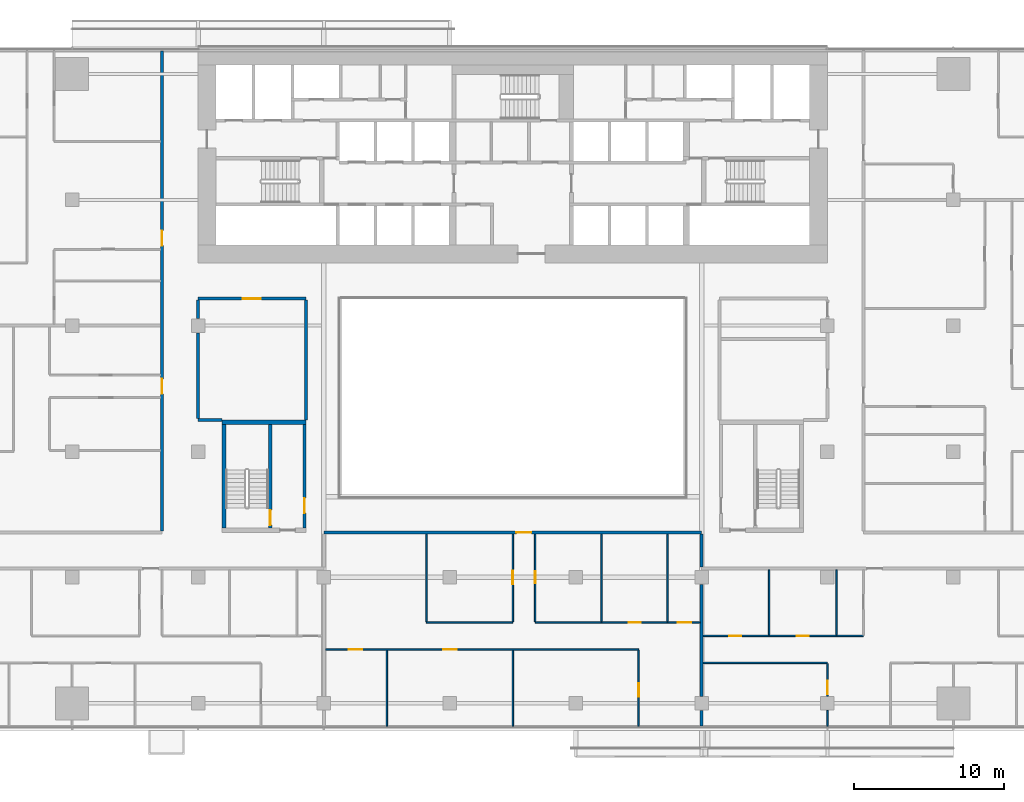
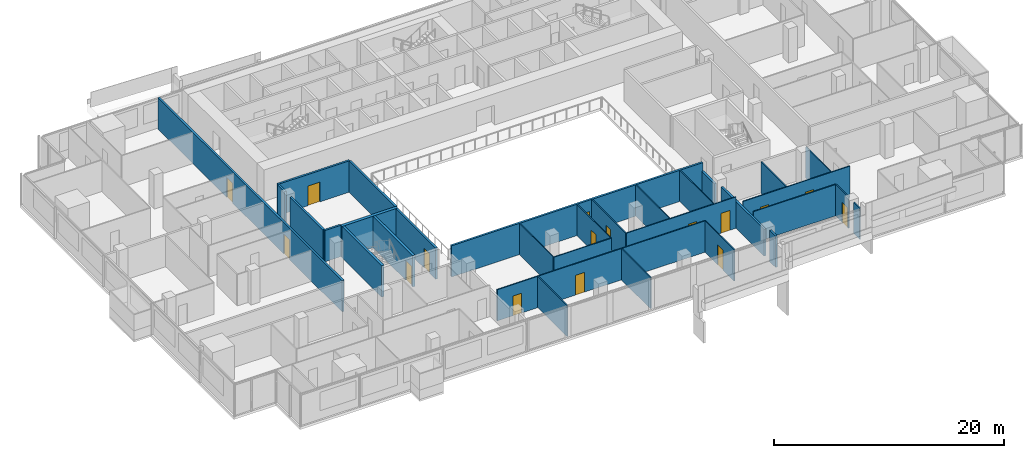
# One storey, part 18 of 27: 31 walls, 16 doors, 16 openings.
"""IFC4 building model written with IfcOpenShell, lengths in metres."""

from ifc_helpers import new_model, si_unit, direction, frame, frame_2d, origin, place, context, subcontext, project, spatial, rectangle, extrude, material, layer, layer_set, type_object, element, fill, save


model = new_model("IFC4")

# Units and contexts
model_context = context("Model", 3, precision=1e-05, world=origin(), true_north=direction((0.0, 1.0)))
body_context = subcontext(model_context, "Body", "Model", "MODEL_VIEW")
ifc_project = project(units=[si_unit("LENGTHUNIT", "METRE"), si_unit("AREAUNIT", "SQUARE_METRE"), si_unit("VOLUMEUNIT", "CUBIC_METRE"), si_unit("PLANEANGLEUNIT", "RADIAN"), si_unit("MASSUNIT", "GRAM", prefix="KILO")], contexts=[model_context])

# Site, building, storey
site_placement = place(None, origin())
site = spatial("IfcSite", under=ifc_project, at=site_placement, CompositionType="ELEMENT")
building_placement = place(site_placement, origin())
building = spatial("IfcBuilding", under=site, at=building_placement, Name="Saffron Gate Tower", CompositionType="ELEMENT")
storey_placement = place(building_placement, frame((0.0, 0.0, 66.0)))
storey = spatial("IfcBuildingStorey", under=building, at=storey_placement, Name="L15", CompositionType="ELEMENT", Elevation=66.0)

# Wall, opening, door
ifc_material_1 = material(Name="Gypsum board partition on steel studs", Category="steel")
ifc_layer_1 = layer(ifc_material_1, 0.199951171875)
ifc_layer_set_1 = layer_set([ifc_layer_1], Name="CW10 Core partition 200")
wall_type_1 = type_object("IfcWallType", Name="CW10 Core partition 200", PredefinedType="PARTITIONING", material=ifc_layer_set_1)
wall_1_placement = place(storey_placement, frame((73.699951171875, 43.5, 0.0), z_axis=(0.0, 0.0, 1.0), x_axis=(0.0, 1.0, 0.0)))
wall_1 = element("IfcWall", 1, at=wall_1_placement, inside=storey, type_object=wall_type_1, Name="Wall CW10-L15-D-4", PredefinedType="PARTITIONING", context=body_context, shape_type="SweptSolid", body=[
    extrude(rectangle(XDim=6.89990234375, YDim=0.199951171875, at=frame_2d((3.449951171875, 0.0))), origin(), (0.0, 0.0, 1.0), 3.320068359375),
])
opening_1_placement = place(wall_1_placement, frame((1.0, 0.0, 0.0)))
opening_1 = element("IfcOpeningElement", 2, at=opening_1_placement, cuts=wall_1, Name="Opening CR-19", PredefinedType="OPENING", context=body_context, shape_type="SweptSolid", body=[
    extrude(rectangle(XDim=1.0, YDim=2.10009765625, at=frame_2d((0.5, 1.050048828125))), frame((0.0, 0.10986328125, 0.0), z_axis=(0.0, -1.0, 0.0), x_axis=(1.0, 0.0, 0.0)), (0.0, 0.0, 1.0), 0.219970703125),
])
ifc_material_2 = material(Name="Steel fire door set", Category="steel")
door_type_1 = type_object("IfcDoorType", Name="CD4 Lobby door 1000x2100 EI 120", OperationType="NOTDEFINED", PredefinedType="DOOR", material=ifc_material_2)
door_1_placement = place(opening_1_placement, origin())
door_1 = element("IfcDoor", 3, at=door_1_placement, inside=storey, type_object=door_type_1, Name="DOOR CR-19", OperationType="SINGLE_SWING_RIGHT", OverallHeight=2.10009765625, OverallWidth=1.0, PredefinedType="DOOR", context=body_context, shape_type="SweptSolid", body=[
    extrude(rectangle(XDim=1.0, YDim=2.10009765625, at=frame_2d((0.5, 1.050048828125))), frame((0.0, 0.02490234375, 0.0), z_axis=(0.0, -1.0, 0.0), x_axis=(1.0, 0.0, 0.0)), (0.0, 0.0, 1.0), 0.050048828125),
])
fill(opening_1, door_1)

# Wall
ifc_material_3 = material(Name="Concrete C70", Category="concrete")
ifc_layer_2 = layer(ifc_material_3, 0.25)
ifc_layer_set_2 = layer_set([ifc_layer_2], Name="CW2 RC core wall 250 C70")
wall_type_2 = type_object("IfcWallType", Name="CW2 RC core wall 250 C70", PredefinedType="SOLIDWALL", material=ifc_layer_set_2)
wall_2_placement = place(storey_placement, frame((68.324951171875, 43.5, 0.0), z_axis=(0.0, 0.0, 1.0), x_axis=(0.0, 1.0, 0.0)))
element("IfcWall", 4, at=wall_2_placement, inside=storey, type_object=wall_type_2, Name="Wall CW2-L15-D-2", PredefinedType="SOLIDWALL", context=body_context, shape_type="SweptSolid", body=[
    extrude(rectangle(XDim=6.89990234375, YDim=0.25, at=frame_2d((3.449951171875, 0.0))), origin(), (0.0, 0.0, 1.0), 3.320068359375),
])

# Wall, opening, door
wall_3_placement = place(storey_placement, frame((71.425048828125, 43.5, 0.0), z_axis=(0.0, 0.0, 1.0), x_axis=(0.0, 1.0, 0.0)))
wall_3 = element("IfcWall", 5, at=wall_3_placement, inside=storey, type_object=wall_type_2, Name="Wall CW2-L15-D-3", PredefinedType="SOLIDWALL", context=body_context, shape_type="SweptSolid", body=[
    extrude(rectangle(XDim=6.89990234375, YDim=0.25, at=frame_2d((3.449951171875, 0.0))), origin(), (0.0, 0.0, 1.0), 3.320068359375),
])
opening_2_placement = place(wall_3_placement, frame((0.199951171875, 0.0, 0.0)))
opening_2 = element("IfcOpeningElement", 6, at=opening_2_placement, cuts=wall_3, Name="Opening CR-20", PredefinedType="OPENING", context=body_context, shape_type="SweptSolid", body=[
    extrude(rectangle(XDim=1.0, YDim=2.10009765625, at=frame_2d((0.5, 1.050048828125))), frame((0.0, 0.135009765625, 0.0), z_axis=(0.0, -1.0, 0.0), x_axis=(1.0, 0.0, 0.0)), (0.0, 0.0, 1.0), 0.27001953125),
])
door_type_2 = type_object("IfcDoorType", Name="CD5 Stair door 1000x2100 EI 120", OperationType="NOTDEFINED", PredefinedType="DOOR", material=ifc_material_2)
door_2_placement = place(opening_2_placement, origin())
door_2 = element("IfcDoor", 7, at=door_2_placement, inside=storey, type_object=door_type_2, Name="DOOR CR-20", OperationType="SINGLE_SWING_LEFT", OverallHeight=2.10009765625, OverallWidth=1.0, PredefinedType="DOOR", context=body_context, shape_type="SweptSolid", body=[
    extrude(rectangle(XDim=1.0, YDim=2.10009765625, at=frame_2d((0.5, 1.050048828125))), frame((0.0, 0.02490234375, 0.0), z_axis=(0.0, -1.0, 0.0), x_axis=(1.0, 0.0, 0.0)), (0.0, 0.0, 1.0), 0.050048828125),
])
fill(opening_2, door_2)

# Walls
ifc_layer_3 = layer(ifc_material_3, 0.300048828125)
ifc_layer_set_3 = layer_set([ifc_layer_3], Name="CW5 RC core wall 300 C70")
wall_type_3 = type_object("IfcWallType", Name="CW5 RC core wall 300 C70", PredefinedType="SOLIDWALL", material=ifc_layer_set_3)
wall_4_placement = place(storey_placement, frame((68.199951171875, 50.550048828125, 0.0), z_axis=(0.0, 0.0, 1.0), x_axis=(1.0, 0.0, 0.0)))
element("IfcWall", 8, at=wall_4_placement, inside=storey, type_object=wall_type_3, Name="Wall CW5-L15-D-5", PredefinedType="SOLIDWALL", context=body_context, shape_type="SweptSolid", body=[
    extrude(rectangle(XDim=5.60009765625, YDim=0.300048828125, at=frame_2d((2.800048828125, 0.0))), origin(), (0.0, 0.0, 1.0), 3.320068359375),
])
ifc_material_4 = material(Name="Plasterboard on steel studs", Category="steel")
ifc_layer_4 = layer(ifc_material_4, 0.10009765625)
ifc_layer_set_4 = layer_set([ifc_layer_4], Name="PW1 Partition 100")
wall_type_4 = type_object("IfcWallType", Name="PW1 Partition 100", PredefinedType="PARTITIONING", material=ifc_layer_set_4)
wall_5_placement = place(storey_placement, frame((100.300048828125, 34.5, 0.0), z_axis=(0.0, 0.0, 1.0), x_axis=(1.0, 0.0, 0.0)))
element("IfcWall", 9, at=wall_5_placement, inside=storey, type_object=wall_type_4, Name="Partition A3-2", PredefinedType="PARTITIONING", context=body_context, shape_type="SweptSolid", body=[
    extrude(rectangle(XDim=8.300048828125, YDim=0.10009765625, at=frame_2d((4.14990234375, 0.0))), origin(), (0.0, 0.0, 1.0), 3.320068359375),
])

# Wall, openings, doors
wall_6_placement = place(storey_placement, frame((96.0, 35.39990234375, 0.0), z_axis=(0.0, 0.0, 1.0), x_axis=(-1.0, 0.0, 0.0)))
wall_6 = element("IfcWall", 10, at=wall_6_placement, inside=storey, type_object=wall_type_4, Name="Partition A3-4", PredefinedType="PARTITIONING", context=body_context, shape_type="SweptSolid", body=[
    extrude(rectangle(XDim=20.89990234375, YDim=0.10009765625, at=frame_2d((10.449951171875, 0.0))), origin(), (0.0, 0.0, 1.0), 3.320068359375),
])
opening_3_placement = place(wall_6_placement, frame((12.14990234375, 0.0, 0.0)))
opening_3 = element("IfcOpeningElement", 11, at=opening_3_placement, cuts=wall_6, Name="Opening A3-15", PredefinedType="OPENING", context=body_context, shape_type="SweptSolid", body=[
    extrude(rectangle(XDim=0.89990234375, YDim=2.10009765625, at=frame_2d((0.449951171875, 1.050048828125))), frame((0.0, 0.06005859375, 0.0), z_axis=(0.0, -1.0, 0.0), x_axis=(1.0, 0.0, 0.0)), (0.0, 0.0, 1.0), 0.1201171875),
])
opening_4_placement = place(wall_6_placement, frame((18.449951171875, 0.0, 0.0)))
opening_4 = element("IfcOpeningElement", 12, at=opening_4_placement, cuts=wall_6, Name="Opening A3-14", PredefinedType="OPENING", context=body_context, shape_type="SweptSolid", body=[
    extrude(rectangle(XDim=0.89990234375, YDim=2.10009765625, at=frame_2d((0.449951171875, 1.050048828125))), frame((0.0, 0.06005859375, 0.0), z_axis=(0.0, -1.0, 0.0), x_axis=(1.0, 0.0, 0.0)), (0.0, 0.0, 1.0), 0.1201171875),
])
ifc_material_5 = material(Name="Timber door set", Category="wood")
door_type_3 = type_object("IfcDoorType", Name="RD1 Room door 900x2100", OperationType="NOTDEFINED", PredefinedType="DOOR", material=ifc_material_5)
door_3_placement = place(opening_3_placement, origin())
door_3 = element("IfcDoor", 13, at=door_3_placement, inside=storey, type_object=door_type_3, Name="Door A3-15", OperationType="SINGLE_SWING_LEFT", OverallHeight=2.10009765625, OverallWidth=0.89990234375, PredefinedType="DOOR", context=body_context, shape_type="SweptSolid", body=[
    extrude(rectangle(XDim=0.89990234375, YDim=2.10009765625, at=frame_2d((0.449951171875, 1.050048828125))), frame((0.0, 0.02490234375, 0.0), z_axis=(0.0, -1.0, 0.0), x_axis=(1.0, 0.0, 0.0)), (0.0, 0.0, 1.0), 0.050048828125),
])
fill(opening_3, door_3)
door_4_placement = place(opening_4_placement, origin())
door_4 = element("IfcDoor", 14, at=door_4_placement, inside=storey, type_object=door_type_3, Name="Door A3-14", OperationType="SINGLE_SWING_RIGHT", OverallHeight=2.10009765625, OverallWidth=0.89990234375, PredefinedType="DOOR", context=body_context, shape_type="SweptSolid", body=[
    extrude(rectangle(XDim=0.89990234375, YDim=2.10009765625, at=frame_2d((0.449951171875, 1.050048828125))), frame((0.0, 0.02490234375, 0.0), z_axis=(0.0, -1.0, 0.0), x_axis=(1.0, 0.0, 0.0)), (0.0, 0.0, 1.0), 0.050048828125),
])
fill(opening_4, door_4)

wall_7_placement = place(storey_placement, frame((100.300048828125, 36.300048828125, 0.0), z_axis=(0.0, 0.0, 1.0), x_axis=(1.0, 0.0, 0.0)))
wall_7 = element("IfcWall", 15, at=wall_7_placement, inside=storey, type_object=wall_type_4, Name="Partition A3-7", PredefinedType="PARTITIONING", context=body_context, shape_type="SweptSolid", body=[
    extrude(rectangle(XDim=10.699951171875, YDim=0.10009765625, at=frame_2d((5.35009765625, 0.0))), origin(), (0.0, 0.0, 1.0), 3.320068359375),
])
opening_5_placement = place(wall_7_placement, frame((1.75, 0.0, 0.0)))
opening_5 = element("IfcOpeningElement", 16, at=opening_5_placement, cuts=wall_7, Name="Opening A3-41", PredefinedType="OPENING", context=body_context, shape_type="SweptSolid", body=[
    extrude(rectangle(XDim=0.800048828125, YDim=2.10009765625, at=frame_2d((0.39990234375, 1.050048828125))), frame((0.0, 0.06005859375, 0.0), z_axis=(0.0, -1.0, 0.0), x_axis=(1.0, 0.0, 0.0)), (0.0, 0.0, 1.0), 0.1201171875),
])
opening_6_placement = place(wall_7_placement, frame((6.25, 0.0, 0.0)))
opening_6 = element("IfcOpeningElement", 17, at=opening_6_placement, cuts=wall_7, Name="Opening A3-42", PredefinedType="OPENING", context=body_context, shape_type="SweptSolid", body=[
    extrude(rectangle(XDim=0.800048828125, YDim=2.10009765625, at=frame_2d((0.39990234375, 1.050048828125))), frame((0.0, 0.06005859375, 0.0), z_axis=(0.0, -1.0, 0.0), x_axis=(1.0, 0.0, 0.0)), (0.0, 0.0, 1.0), 0.1201171875),
])
door_type_4 = type_object("IfcDoorType", Name="RD2 Bathroom door 800x2100", OperationType="NOTDEFINED", PredefinedType="DOOR", material=ifc_material_5)
door_5_placement = place(opening_5_placement, origin())
door_5 = element("IfcDoor", 18, at=door_5_placement, inside=storey, type_object=door_type_4, Name="Door A3-41", OperationType="SINGLE_SWING_LEFT", OverallHeight=2.10009765625, OverallWidth=0.800048828125, PredefinedType="DOOR", context=body_context, shape_type="SweptSolid", body=[
    extrude(rectangle(XDim=0.800048828125, YDim=2.10009765625, at=frame_2d((0.39990234375, 1.050048828125))), frame((0.0, 0.02490234375, 0.0), z_axis=(0.0, -1.0, 0.0), x_axis=(1.0, 0.0, 0.0)), (0.0, 0.0, 1.0), 0.050048828125),
])
fill(opening_5, door_5)
door_6_placement = place(opening_6_placement, origin())
door_6 = element("IfcDoor", 19, at=door_6_placement, inside=storey, type_object=door_type_4, Name="Door A3-42", OperationType="SINGLE_SWING_RIGHT", OverallHeight=2.10009765625, OverallWidth=0.800048828125, PredefinedType="DOOR", context=body_context, shape_type="SweptSolid", body=[
    extrude(rectangle(XDim=0.800048828125, YDim=2.10009765625, at=frame_2d((0.39990234375, 1.050048828125))), frame((0.0, 0.02490234375, 0.0), z_axis=(0.0, -1.0, 0.0), x_axis=(1.0, 0.0, 0.0)), (0.0, 0.0, 1.0), 0.050048828125),
])
fill(opening_6, door_6)

# Wall
wall_8_placement = place(storey_placement, frame((81.833251953125, 37.199951171875, 0.0), z_axis=(0.0, 0.0, 1.0), x_axis=(1.0, 0.0, 0.0)))
element("IfcWall", 20, at=wall_8_placement, inside=storey, type_object=wall_type_4, Name="Partition A3-9", PredefinedType="PARTITIONING", context=body_context, shape_type="SweptSolid", body=[
    extrude(rectangle(XDim=5.766845703125, YDim=0.10009765625, at=frame_2d((2.88330078125, 0.0))), origin(), (0.0, 0.0, 1.0), 3.320068359375),
])

# Wall, openings, doors
wall_9_placement = place(storey_placement, frame((89.10009765625, 37.199951171875, 0.0), z_axis=(0.0, 0.0, 1.0), x_axis=(1.0, 0.0, 0.0)))
wall_9 = element("IfcWall", 21, at=wall_9_placement, inside=storey, type_object=wall_type_4, Name="Partition A3-10", PredefinedType="PARTITIONING", context=body_context, shape_type="SweptSolid", body=[
    extrude(rectangle(XDim=11.0, YDim=0.10009765625, at=frame_2d((5.5, 0.0))), origin(), (0.0, 0.0, 1.0), 3.320068359375),
])
opening_7_placement = place(wall_9_placement, frame((6.22509765625, 0.0, 0.0)))
opening_7 = element("IfcOpeningElement", 22, at=opening_7_placement, cuts=wall_9, Name="Opening A3-40", PredefinedType="OPENING", context=body_context, shape_type="SweptSolid", body=[
    extrude(rectangle(XDim=0.800048828125, YDim=2.10009765625, at=frame_2d((0.39990234375, 1.050048828125))), frame((0.0, 0.06005859375, 0.0), z_axis=(0.0, -1.0, 0.0), x_axis=(1.0, 0.0, 0.0)), (0.0, 0.0, 1.0), 0.1201171875),
])
opening_8_placement = place(wall_9_placement, frame((9.5166015625, 0.0, 0.0)))
opening_8 = element("IfcOpeningElement", 23, at=opening_8_placement, cuts=wall_9, Name="Opening A3-18", PredefinedType="OPENING", context=body_context, shape_type="SweptSolid", body=[
    extrude(rectangle(XDim=0.89990234375, YDim=2.10009765625, at=frame_2d((0.449951171875, 1.050048828125))), frame((0.0, 0.06005859375, 0.0), z_axis=(0.0, -1.0, 0.0), x_axis=(1.0, 0.0, 0.0)), (0.0, 0.0, 1.0), 0.1201171875),
])
door_7_placement = place(opening_8_placement, origin())
door_7 = element("IfcDoor", 24, at=door_7_placement, inside=storey, type_object=door_type_3, Name="Door A3-18", OperationType="SINGLE_SWING_RIGHT", OverallHeight=2.10009765625, OverallWidth=0.89990234375, PredefinedType="DOOR", context=body_context, shape_type="SweptSolid", body=[
    extrude(rectangle(XDim=0.89990234375, YDim=2.10009765625, at=frame_2d((0.449951171875, 1.050048828125))), frame((0.0, 0.02490234375, 0.0), z_axis=(0.0, -1.0, 0.0), x_axis=(1.0, 0.0, 0.0)), (0.0, 0.0, 1.0), 0.050048828125),
])
fill(opening_8, door_7)
door_8_placement = place(opening_7_placement, origin())
door_8 = element("IfcDoor", 25, at=door_8_placement, inside=storey, type_object=door_type_4, Name="Door A3-40", OperationType="SINGLE_SWING_RIGHT", OverallHeight=2.10009765625, OverallWidth=0.800048828125, PredefinedType="DOOR", context=body_context, shape_type="SweptSolid", body=[
    extrude(rectangle(XDim=0.800048828125, YDim=2.10009765625, at=frame_2d((0.39990234375, 1.050048828125))), frame((0.0, 0.02490234375, 0.0), z_axis=(0.0, -1.0, 0.0), x_axis=(1.0, 0.0, 0.0)), (0.0, 0.0, 1.0), 0.050048828125),
])
fill(opening_7, door_8)

# Walls
wall_10_placement = place(storey_placement, frame((79.199951171875, 35.35009765625, 0.0), z_axis=(0.0, 0.0, 1.0), x_axis=(0.0, -1.0, 0.0)))
element("IfcWall", 26, at=wall_10_placement, inside=storey, type_object=wall_type_4, Name="Partition A3-74", PredefinedType="PARTITIONING", context=body_context, shape_type="SweptSolid", body=[
    extrude(rectangle(XDim=5.070068359375, YDim=0.10009765625, at=frame_2d((2.53515625, 0.0))), origin(), (0.0, 0.0, 1.0), 3.320068359375),
])
wall_11_placement = place(storey_placement, frame((81.833251953125, 43.10009765625, 0.0), z_axis=(0.0, 0.0, 1.0), x_axis=(0.0, -1.0, 0.0)))
element("IfcWall", 27, at=wall_11_placement, inside=storey, type_object=wall_type_4, Name="Partition A3-75", PredefinedType="PARTITIONING", context=body_context, shape_type="SweptSolid", body=[
    extrude(rectangle(XDim=5.85009765625, YDim=0.10009765625, at=frame_2d((2.925048828125, 0.0))), origin(), (0.0, 0.0, 1.0), 3.320068359375),
])
wall_12_placement = place(storey_placement, frame((87.60009765625, 35.35009765625, 0.0), z_axis=(0.0, 0.0, 1.0), x_axis=(0.0, -1.0, 0.0)))
element("IfcWall", 28, at=wall_12_placement, inside=storey, type_object=wall_type_4, Name="Partition A3-76", PredefinedType="PARTITIONING", context=body_context, shape_type="SweptSolid", body=[
    extrude(rectangle(XDim=5.070068359375, YDim=0.10009765625, at=frame_2d((2.53515625, 0.0))), origin(), (0.0, 0.0, 1.0), 3.320068359375),
])

# Wall, opening, door
wall_13_placement = place(storey_placement, frame((87.60009765625, 37.25, 0.0), z_axis=(0.0, 0.0, 1.0), x_axis=(0.0, 1.0, 0.0)))
wall_13 = element("IfcWall", 29, at=wall_13_placement, inside=storey, type_object=wall_type_4, Name="Partition A3-77", PredefinedType="PARTITIONING", context=body_context, shape_type="SweptSolid", body=[
    extrude(rectangle(XDim=5.85009765625, YDim=0.10009765625, at=frame_2d((2.925048828125, 0.0))), origin(), (0.0, 0.0, 1.0), 3.320068359375),
])
opening_9_placement = place(wall_13_placement, frame((2.5, 0.0, 0.0)))
opening_9 = element("IfcOpeningElement", 30, at=opening_9_placement, cuts=wall_13, Name="Opening A3-17", PredefinedType="OPENING", context=body_context, shape_type="SweptSolid", body=[
    extrude(rectangle(XDim=0.89990234375, YDim=2.10009765625, at=frame_2d((0.449951171875, 1.050048828125))), frame((0.0, 0.06005859375, 0.0), z_axis=(0.0, -1.0, 0.0), x_axis=(1.0, 0.0, 0.0)), (0.0, 0.0, 1.0), 0.1201171875),
])
door_9_placement = place(opening_9_placement, origin())
door_9 = element("IfcDoor", 31, at=door_9_placement, inside=storey, type_object=door_type_3, Name="Door A3-17", OperationType="SINGLE_SWING_RIGHT", OverallHeight=2.10009765625, OverallWidth=0.89990234375, PredefinedType="DOOR", context=body_context, shape_type="SweptSolid", body=[
    extrude(rectangle(XDim=0.89990234375, YDim=2.10009765625, at=frame_2d((0.449951171875, 1.050048828125))), frame((0.0, 0.02490234375, 0.0), z_axis=(0.0, -1.0, 0.0), x_axis=(1.0, 0.0, 0.0)), (0.0, 0.0, 1.0), 0.050048828125),
])
fill(opening_9, door_9)

wall_14_placement = place(storey_placement, frame((89.10009765625, 43.10009765625, 0.0), z_axis=(0.0, 0.0, 1.0), x_axis=(0.0, -1.0, 0.0)))
wall_14 = element("IfcWall", 32, at=wall_14_placement, inside=storey, type_object=wall_type_4, Name="Partition A3-78", PredefinedType="PARTITIONING", context=body_context, shape_type="SweptSolid", body=[
    extrude(rectangle(XDim=5.85009765625, YDim=0.10009765625, at=frame_2d((2.925048828125, 0.0))), origin(), (0.0, 0.0, 1.0), 3.320068359375),
])
opening_10_placement = place(wall_14_placement, frame((2.5, 0.0, 0.0)))
opening_10 = element("IfcOpeningElement", 33, at=opening_10_placement, cuts=wall_14, Name="Opening A3-39", PredefinedType="OPENING", context=body_context, shape_type="SweptSolid", body=[
    extrude(rectangle(XDim=0.800048828125, YDim=2.10009765625, at=frame_2d((0.39990234375, 1.050048828125))), frame((0.0, 0.06005859375, 0.0), z_axis=(0.0, -1.0, 0.0), x_axis=(1.0, 0.0, 0.0)), (0.0, 0.0, 1.0), 0.1201171875),
])
door_10_placement = place(opening_10_placement, origin())
door_10 = element("IfcDoor", 34, at=door_10_placement, inside=storey, type_object=door_type_4, Name="Door A3-39", OperationType="SINGLE_SWING_LEFT", OverallHeight=2.10009765625, OverallWidth=0.800048828125, PredefinedType="DOOR", context=body_context, shape_type="SweptSolid", body=[
    extrude(rectangle(XDim=0.800048828125, YDim=2.10009765625, at=frame_2d((0.39990234375, 1.050048828125))), frame((0.0, 0.02490234375, 0.0), z_axis=(0.0, -1.0, 0.0), x_axis=(1.0, 0.0, 0.0)), (0.0, 0.0, 1.0), 0.050048828125),
])
fill(opening_10, door_10)

# Wall
wall_15_placement = place(storey_placement, frame((93.5166015625, 43.10009765625, 0.0), z_axis=(0.0, 0.0, 1.0), x_axis=(0.0, -1.0, 0.0)))
element("IfcWall", 35, at=wall_15_placement, inside=storey, type_object=wall_type_4, Name="Partition A3-79", PredefinedType="PARTITIONING", context=body_context, shape_type="SweptSolid", body=[
    extrude(rectangle(XDim=5.85009765625, YDim=0.10009765625, at=frame_2d((2.925048828125, 0.0))), origin(), (0.0, 0.0, 1.0), 3.320068359375),
])

# Wall, opening, door
wall_16_placement = place(storey_placement, frame((96.0, 30.280029296875, 0.0), z_axis=(0.0, 0.0, 1.0), x_axis=(0.0, 1.0, 0.0)))
wall_16 = element("IfcWall", 36, at=wall_16_placement, inside=storey, type_object=wall_type_4, Name="Partition A3-80", PredefinedType="PARTITIONING", context=body_context, shape_type="SweptSolid", body=[
    extrude(rectangle(XDim=5.070068359375, YDim=0.10009765625, at=frame_2d((2.53515625, 0.0))), origin(), (0.0, 0.0, 1.0), 3.320068359375),
])
opening_11_placement = place(wall_16_placement, frame((1.969970703125, 0.0, 0.0)))
opening_11 = element("IfcOpeningElement", 37, at=opening_11_placement, cuts=wall_16, Name="Opening A3-16", PredefinedType="OPENING", context=body_context, shape_type="SweptSolid", body=[
    extrude(rectangle(XDim=0.89990234375, YDim=2.10009765625, at=frame_2d((0.449951171875, 1.050048828125))), frame((0.0, 0.06005859375, 0.0), z_axis=(0.0, -1.0, 0.0), x_axis=(1.0, 0.0, 0.0)), (0.0, 0.0, 1.0), 0.1201171875),
])
door_11_placement = place(opening_11_placement, origin())
door_11 = element("IfcDoor", 38, at=door_11_placement, inside=storey, type_object=door_type_3, Name="Door A3-16", OperationType="SINGLE_SWING_LEFT", OverallHeight=2.10009765625, OverallWidth=0.89990234375, PredefinedType="DOOR", context=body_context, shape_type="SweptSolid", body=[
    extrude(rectangle(XDim=0.89990234375, YDim=2.10009765625, at=frame_2d((0.449951171875, 1.050048828125))), frame((0.0, 0.02490234375, 0.0), z_axis=(0.0, -1.0, 0.0), x_axis=(1.0, 0.0, 0.0)), (0.0, 0.0, 1.0), 0.050048828125),
])
fill(opening_11, door_11)

# Walls
wall_17_placement = place(storey_placement, frame((97.933349609375, 43.10009765625, 0.0), z_axis=(0.0, 0.0, 1.0), x_axis=(0.0, -1.0, 0.0)))
element("IfcWall", 39, at=wall_17_placement, inside=storey, type_object=wall_type_4, Name="Partition A3-81", PredefinedType="PARTITIONING", context=body_context, shape_type="SweptSolid", body=[
    extrude(rectangle(XDim=5.85009765625, YDim=0.10009765625, at=frame_2d((2.925048828125, 0.0))), origin(), (0.0, 0.0, 1.0), 3.320068359375),
])
wall_18_placement = place(storey_placement, frame((104.699951171875, 40.699951171875, 0.0), z_axis=(0.0, 0.0, 1.0), x_axis=(0.0, -1.0, 0.0)))
element("IfcWall", 40, at=wall_18_placement, inside=storey, type_object=wall_type_4, Name="Partition A3-86", PredefinedType="PARTITIONING", context=body_context, shape_type="SweptSolid", body=[
    extrude(rectangle(XDim=4.349853515625, YDim=0.10009765625, at=frame_2d((2.1748046875, 0.0))), origin(), (0.0, 0.0, 1.0), 3.320068359375),
])
wall_19_placement = place(storey_placement, frame((108.60009765625, 31.330078125, 0.0), z_axis=(0.0, 0.0, 1.0), x_axis=(0.0, -1.0, 0.0)))
element("IfcWall", 41, at=wall_19_placement, inside=storey, type_object=wall_type_4, Name="Partition A3-89", PredefinedType="PARTITIONING", context=body_context, shape_type="SweptSolid", body=[
    extrude(rectangle(XDim=1.050048828125, YDim=0.10009765625, at=frame_2d((0.52490234375, 0.0))), origin(), (0.0, 0.0, 1.0), 3.320068359375),
])

# Wall, opening, door
wall_20_placement = place(storey_placement, frame((108.60009765625, 32.27001953125, 0.0), z_axis=(0.0, 0.0, 1.0), x_axis=(0.0, 1.0, 0.0)))
wall_20 = element("IfcWall", 42, at=wall_20_placement, inside=storey, type_object=wall_type_4, Name="Partition A3-90", PredefinedType="PARTITIONING", context=body_context, shape_type="SweptSolid", body=[
    extrude(rectangle(XDim=2.179931640625, YDim=0.10009765625, at=frame_2d((1.08984375, 0.0))), origin(), (0.0, 0.0, 1.0), 3.320068359375),
])
opening_12_placement = place(wall_20_placement, frame((0.14990234375, 0.0, 0.0)))
opening_12 = element("IfcOpeningElement", 43, at=opening_12_placement, cuts=wall_20, Name="Opening A3-19", PredefinedType="OPENING", context=body_context, shape_type="SweptSolid", body=[
    extrude(rectangle(XDim=0.89990234375, YDim=2.10009765625, at=frame_2d((0.449951171875, 1.050048828125))), frame((0.0, 0.06005859375, 0.0), z_axis=(0.0, -1.0, 0.0), x_axis=(1.0, 0.0, 0.0)), (0.0, 0.0, 1.0), 0.1201171875),
])
door_12_placement = place(opening_12_placement, origin())
door_12 = element("IfcDoor", 44, at=door_12_placement, inside=storey, type_object=door_type_3, Name="Door A3-19", OperationType="SINGLE_SWING_LEFT", OverallHeight=2.10009765625, OverallWidth=0.89990234375, PredefinedType="DOOR", context=body_context, shape_type="SweptSolid", body=[
    extrude(rectangle(XDim=0.89990234375, YDim=2.10009765625, at=frame_2d((0.449951171875, 1.050048828125))), frame((0.0, 0.02490234375, 0.0), z_axis=(0.0, -1.0, 0.0), x_axis=(1.0, 0.0, 0.0)), (0.0, 0.0, 1.0), 0.050048828125),
])
fill(opening_12, door_12)

# Walls
wall_21_placement = place(storey_placement, frame((109.199951171875, 40.699951171875, 0.0), z_axis=(0.0, 0.0, 1.0), x_axis=(0.0, -1.0, 0.0)))
element("IfcWall", 45, at=wall_21_placement, inside=storey, type_object=wall_type_4, Name="Partition A3-91", PredefinedType="PARTITIONING", context=body_context, shape_type="SweptSolid", body=[
    extrude(rectangle(XDim=4.349853515625, YDim=0.10009765625, at=frame_2d((2.1748046875, 0.0))), origin(), (0.0, 0.0, 1.0), 3.320068359375),
])
ifc_material_6 = material(Name="Clay brick masonry, rendered", Category="masonry")
ifc_layer_5 = layer(ifc_material_6, 0.199951171875)
ifc_layer_set_5 = layer_set([ifc_layer_5], Name="PW2 Demising wall 200")
wall_type_5 = type_object("IfcWallType", Name="PW2 Demising wall 200", PredefinedType="PARTITIONING", material=ifc_layer_set_5)
wall_22_placement = place(storey_placement, frame((100.199951171875, 31.330078125, 0.0), z_axis=(0.0, 0.0, 1.0), x_axis=(0.0, -1.0, 0.0)))
element("IfcWall", 46, at=wall_22_placement, inside=storey, type_object=wall_type_5, Name="Wall A3-83", PredefinedType="PARTITIONING", context=body_context, shape_type="SweptSolid", body=[
    extrude(rectangle(XDim=1.050048828125, YDim=0.199951171875, at=frame_2d((0.52490234375, 0.0))), origin(), (0.0, 0.0, 1.0), 3.320068359375),
])
wall_23_placement = place(storey_placement, frame((100.199951171875, 39.72998046875, 0.0), z_axis=(0.0, 0.0, 1.0), x_axis=(0.0, -1.0, 0.0)))
element("IfcWall", 47, at=wall_23_placement, inside=storey, type_object=wall_type_5, Name="Wall A3-84", PredefinedType="PARTITIONING", context=body_context, shape_type="SweptSolid", body=[
    extrude(rectangle(XDim=7.4599609375, YDim=0.199951171875, at=frame_2d((3.72998046875, 0.0))), origin(), (0.0, 0.0, 1.0), 2.830078125),
])

# Wall, opening, door
ifc_layer_6 = layer(ifc_material_6, 0.199951171875)
ifc_layer_set_6 = layer_set([ifc_layer_6], Name="PW3 Corridor wall 200")
wall_type_6 = type_object("IfcWallType", Name="PW3 Corridor wall 200", PredefinedType="PARTITIONING", material=ifc_layer_set_6)
wall_24_placement = place(storey_placement, frame((100.199951171875, 43.199951171875, 0.0), z_axis=(0.0, 0.0, 1.0), x_axis=(-1.0, 0.0, 0.0)))
wall_24 = element("IfcWall", 48, at=wall_24_placement, inside=storey, type_object=wall_type_6, Name="Wall A3-16", PredefinedType="PARTITIONING", context=body_context, shape_type="SweptSolid", body=[
    extrude(rectangle(XDim=25.199951171875, YDim=0.199951171875, at=frame_2d((12.60009765625, 0.0))), origin(), (0.0, 0.0, 1.0), 3.320068359375),
])
opening_13_placement = place(wall_24_placement, frame((11.35009765625, 0.0, 0.0)))
opening_13 = element("IfcOpeningElement", 49, at=opening_13_placement, cuts=wall_24, Name="Opening A3-2", PredefinedType="OPENING", context=body_context, shape_type="SweptSolid", body=[
    extrude(rectangle(XDim=1.0, YDim=2.10009765625, at=frame_2d((0.5, 1.050048828125))), frame((0.0, 0.10986328125, 0.0), z_axis=(0.0, -1.0, 0.0), x_axis=(1.0, 0.0, 0.0)), (0.0, 0.0, 1.0), 0.219970703125),
])
ifc_material_7 = material(Name="Timber fire door set", Category="wood")
door_type_5 = type_object("IfcDoorType", Name="FD1 Flat entry door 1000x2100", OperationType="NOTDEFINED", PredefinedType="DOOR", material=ifc_material_7)
door_13_placement = place(opening_13_placement, origin())
door_13 = element("IfcDoor", 50, at=door_13_placement, inside=storey, type_object=door_type_5, Name="Door A3-2", OperationType="SINGLE_SWING_RIGHT", OverallHeight=2.10009765625, OverallWidth=1.0, PredefinedType="DOOR", context=body_context, shape_type="SweptSolid", body=[
    extrude(rectangle(XDim=1.0, YDim=2.10009765625, at=frame_2d((0.5, 1.050048828125))), frame((0.0, 0.02490234375, 0.0), z_axis=(0.0, -1.0, 0.0), x_axis=(1.0, 0.0, 0.0)), (0.0, 0.0, 1.0), 0.050048828125),
])
fill(opening_13, door_13)

# Wall
wall_25_placement = place(storey_placement, frame((66.60009765625, 50.699951171875, 0.0), z_axis=(0.0, 0.0, 1.0), x_axis=(1.0, 0.0, 0.0)))
element("IfcWall", 51, at=wall_25_placement, inside=storey, type_object=wall_type_6, Name="Wall A3-26", PredefinedType="PARTITIONING", context=body_context, shape_type="SweptSolid", body=[
    extrude(rectangle(XDim=1.599853515625, YDim=0.199951171875, at=frame_2d((0.7998046875, 0.0))), origin(), (0.0, 0.0, 1.0), 3.320068359375),
])

# Wall, opening, door
wall_26_placement = place(storey_placement, frame((73.800048828125, 58.800048828125, 0.0), z_axis=(0.0, 0.0, 1.0), x_axis=(-1.0, 0.0, 0.0)))
wall_26 = element("IfcWall", 52, at=wall_26_placement, inside=storey, type_object=wall_type_6, Name="Wall A3-39", PredefinedType="PARTITIONING", context=body_context, shape_type="SweptSolid", body=[
    extrude(rectangle(XDim=7.199951171875, YDim=0.199951171875, at=frame_2d((3.60009765625, 0.0))), origin(), (0.0, 0.0, 1.0), 3.320068359375),
])
opening_14_placement = place(wall_26_placement, frame((3.0, 0.0, 0.0)))
opening_14 = element("IfcOpeningElement", 53, at=opening_14_placement, cuts=wall_26, Name="Opening A3-50", PredefinedType="OPENING", context=body_context, shape_type="SweptSolid", body=[
    extrude(rectangle(XDim=1.199951171875, YDim=2.10009765625, at=frame_2d((0.60009765625, 1.050048828125))), frame((0.0, 0.10986328125, 0.0), z_axis=(0.0, -1.0, 0.0), x_axis=(1.0, 0.0, 0.0)), (0.0, 0.0, 1.0), 0.219970703125),
])
door_type_6 = type_object("IfcDoorType", Name="HD1 Hall door 1200x2100", OperationType="NOTDEFINED", PredefinedType="DOOR", material=ifc_material_5)
door_14_placement = place(opening_14_placement, origin())
door_14 = element("IfcDoor", 54, at=door_14_placement, inside=storey, type_object=door_type_6, Name="Door A3-50", OperationType="SINGLE_SWING_LEFT", OverallHeight=2.10009765625, OverallWidth=1.199951171875, PredefinedType="DOOR", context=body_context, shape_type="SweptSolid", body=[
    extrude(rectangle(XDim=1.199951171875, YDim=2.10009765625, at=frame_2d((0.60009765625, 1.050048828125))), frame((0.0, 0.02490234375, 0.0), z_axis=(0.0, -1.0, 0.0), x_axis=(1.0, 0.0, 0.0)), (0.0, 0.0, 1.0), 0.050048828125),
])
fill(opening_14, door_14)

# Wall, openings, doors
wall_27_placement = place(storey_placement, frame((64.199951171875, 43.300048828125, 0.0), z_axis=(0.0, 0.0, 1.0), x_axis=(0.0, 1.0, 0.0)))
wall_27 = element("IfcWall", 55, at=wall_27_placement, inside=storey, type_object=wall_type_6, Name="Wall A3-63", PredefinedType="PARTITIONING", context=body_context, shape_type="SweptSolid", body=[
    extrude(rectangle(XDim=32.02001953125, YDim=0.199951171875, at=frame_2d((16.010009765625, 0.0))), origin(), (0.0, 0.0, 1.0), 3.320068359375),
])
opening_15_placement = place(wall_27_placement, frame((9.14990234375, 0.0, 0.0)))
opening_15 = element("IfcOpeningElement", 56, at=opening_15_placement, cuts=wall_27, Name="Opening A3-4", PredefinedType="OPENING", context=body_context, shape_type="SweptSolid", body=[
    extrude(rectangle(XDim=1.0, YDim=2.10009765625, at=frame_2d((0.5, 1.050048828125))), frame((0.0, 0.10986328125, 0.0), z_axis=(0.0, -1.0, 0.0), x_axis=(1.0, 0.0, 0.0)), (0.0, 0.0, 1.0), 0.219970703125),
])
opening_16_placement = place(wall_27_placement, frame((19.050048828125, 0.0, 0.0)))
opening_16 = element("IfcOpeningElement", 57, at=opening_16_placement, cuts=wall_27, Name="Opening A3-5", PredefinedType="OPENING", context=body_context, shape_type="SweptSolid", body=[
    extrude(rectangle(XDim=1.0, YDim=2.10009765625, at=frame_2d((0.5, 1.050048828125))), frame((0.0, 0.10986328125, 0.0), z_axis=(0.0, -1.0, 0.0), x_axis=(1.0, 0.0, 0.0)), (0.0, 0.0, 1.0), 0.219970703125),
])
door_15_placement = place(opening_15_placement, origin())
door_15 = element("IfcDoor", 58, at=door_15_placement, inside=storey, type_object=door_type_5, Name="Door A3-4", OperationType="SINGLE_SWING_RIGHT", OverallHeight=2.10009765625, OverallWidth=1.0, PredefinedType="DOOR", context=body_context, shape_type="SweptSolid", body=[
    extrude(rectangle(XDim=1.0, YDim=2.10009765625, at=frame_2d((0.5, 1.050048828125))), frame((0.0, 0.02490234375, 0.0), z_axis=(0.0, -1.0, 0.0), x_axis=(1.0, 0.0, 0.0)), (0.0, 0.0, 1.0), 0.050048828125),
])
fill(opening_15, door_15)
door_16_placement = place(opening_16_placement, origin())
door_16 = element("IfcDoor", 59, at=door_16_placement, inside=storey, type_object=door_type_5, Name="Door A3-5", OperationType="SINGLE_SWING_RIGHT", OverallHeight=2.10009765625, OverallWidth=1.0, PredefinedType="DOOR", context=body_context, shape_type="SweptSolid", body=[
    extrude(rectangle(XDim=1.0, YDim=2.10009765625, at=frame_2d((0.5, 1.050048828125))), frame((0.0, 0.02490234375, 0.0), z_axis=(0.0, -1.0, 0.0), x_axis=(1.0, 0.0, 0.0)), (0.0, 0.0, 1.0), 0.050048828125),
])
fill(opening_16, door_16)

# Walls
wall_28_placement = place(storey_placement, frame((66.60009765625, 56.530029296875, 0.0), z_axis=(0.0, 0.0, 1.0), x_axis=(0.0, -1.0, 0.0)))
element("IfcWall", 60, at=wall_28_placement, inside=storey, type_object=wall_type_6, Name="Wall A3-65", PredefinedType="PARTITIONING", context=body_context, shape_type="SweptSolid", body=[
    extrude(rectangle(XDim=5.72998046875, YDim=0.199951171875, at=frame_2d((2.864990234375, 0.0))), origin(), (0.0, 0.0, 1.0), 3.320068359375),
])
wall_29_placement = place(storey_placement, frame((66.60009765625, 58.699951171875, 0.0), z_axis=(0.0, 0.0, 1.0), x_axis=(0.0, -1.0, 0.0)))
element("IfcWall", 61, at=wall_29_placement, inside=storey, type_object=wall_type_6, Name="Wall A3-66", PredefinedType="PARTITIONING", context=body_context, shape_type="SweptSolid", body=[
    extrude(rectangle(XDim=1.22998046875, YDim=0.199951171875, at=frame_2d((0.614990234375, 0.0))), origin(), (0.0, 0.0, 1.0), 3.320068359375),
])
wall_30_placement = place(storey_placement, frame((73.800048828125, 58.699951171875, 0.0), z_axis=(0.0, 0.0, 1.0), x_axis=(0.0, -1.0, 0.0)))
element("IfcWall", 62, at=wall_30_placement, inside=storey, type_object=wall_type_6, Name="Wall A3-70", PredefinedType="PARTITIONING", context=body_context, shape_type="SweptSolid", body=[
    extrude(rectangle(XDim=8.0, YDim=0.199951171875, at=frame_2d((4.0, 0.0))), origin(), (0.0, 0.0, 1.0), 3.320068359375),
])
wall_31_placement = place(storey_placement, frame((100.199951171875, 43.10009765625, 0.0), z_axis=(0.0, 0.0, 1.0), x_axis=(0.0, -1.0, 0.0)))
element("IfcWall", 63, at=wall_31_placement, inside=storey, type_object=wall_type_6, Name="Wall A3-82", PredefinedType="PARTITIONING", context=body_context, shape_type="SweptSolid", body=[
    extrude(rectangle(XDim=2.2001953125, YDim=0.199951171875, at=frame_2d((1.10009765625, 0.0))), origin(), (0.0, 0.0, 1.0), 2.429931640625),
])

save(model, "model.ifc")
